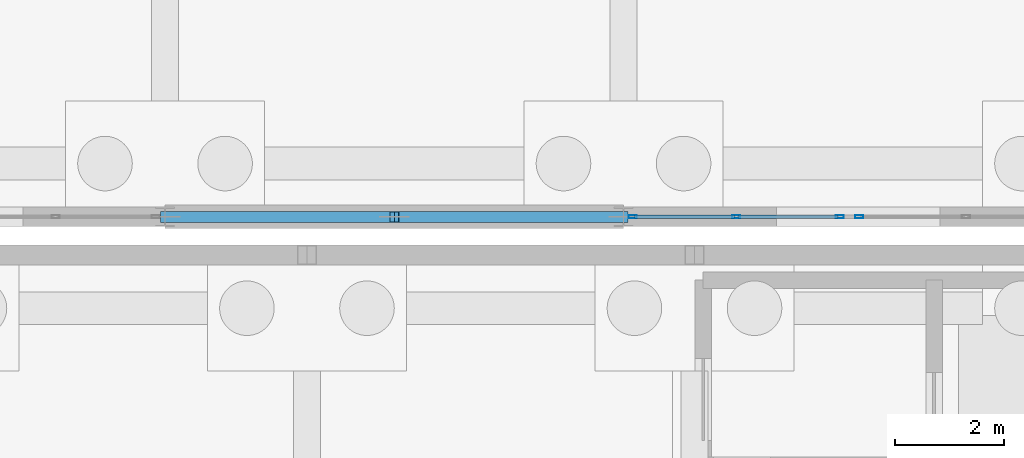
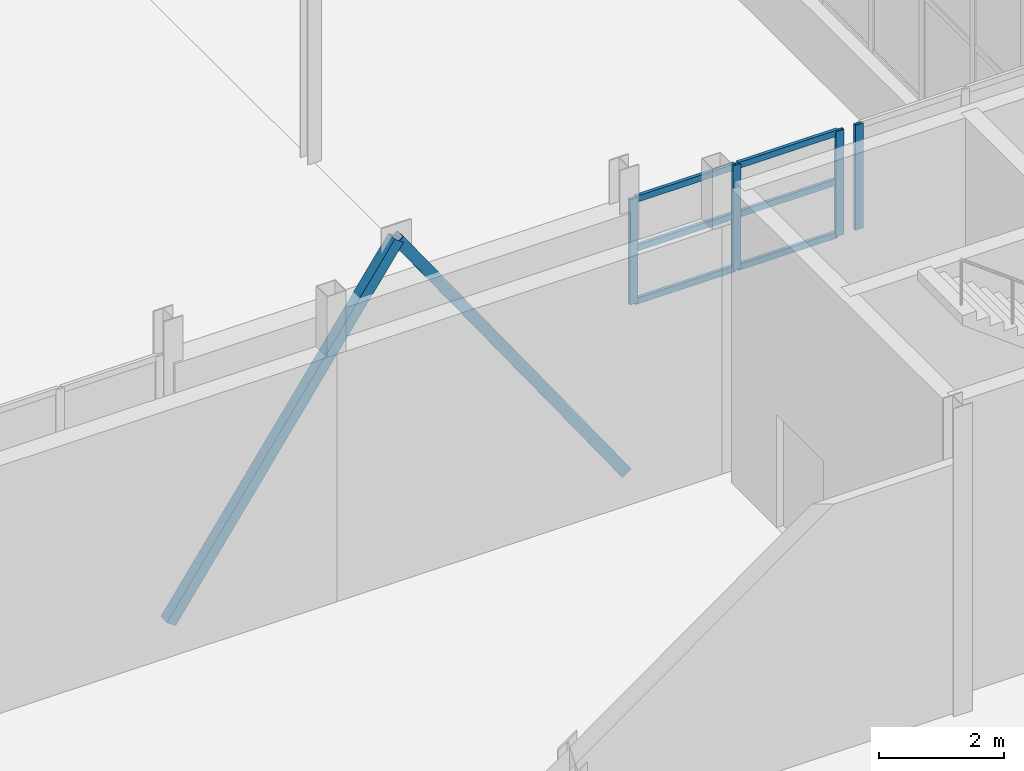
# One storey, part 86 of 139: 12 members, 2 elements without a shape of their own.
"""IFC4 building model written with IfcOpenShell, lengths in metres."""

from ifc_helpers import new_model, si_unit, direction, frame, origin, origin_2d, place, context, subcontext, project, spatial, hollow_rectangle, extrude, material, material_profile, profile_set, type_object, element, aggregate, save


model = new_model("IFC4")

# Units and contexts
model_context = context("Model", 3, precision=1e-05, world=origin(), true_north=direction((0.0, 1.0)))
body_context = subcontext(model_context, "Body", "Model", "MODEL_VIEW")
ifc_project = project(units=[si_unit("LENGTHUNIT", "METRE"), si_unit("AREAUNIT", "SQUARE_METRE"), si_unit("VOLUMEUNIT", "CUBIC_METRE"), si_unit("PLANEANGLEUNIT", "RADIAN"), si_unit("MASSUNIT", "GRAM", prefix="KILO")], contexts=[model_context])

# Site, building, storey
site_placement = place(None, origin())
site = spatial("IfcSite", under=ifc_project, at=site_placement, CompositionType="ELEMENT")
building_placement = place(site_placement, origin())
building = spatial("IfcBuilding", under=site, at=building_placement, Name="Kazenagashi Tramway Depot", CompositionType="ELEMENT")
storey_placement = place(building_placement, origin())
storey = spatial("IfcBuildingStorey", under=building, at=storey_placement, Name="L01", CompositionType="ELEMENT", Elevation=0.0)

# Members
ifc_material_1 = material(Name="Steel STKR490", Category="steel")
ifc_material_profile_1 = material_profile(ifc_material_1, hollow_rectangle(XDim=0.2, YDim=0.2, WallThickness=0.009, at=origin_2d()), Name="SHS-200x200x9")
ifc_profile_set_1 = profile_set([ifc_material_profile_1], Name="Steel STKR490")
member_type_1 = type_object("IfcMemberType", Name="BR-01", PredefinedType="BRACE", material=ifc_profile_set_1)
for number, where, z_axis, x_axis, name in (
    (1, (179.2, 70.0, 0.0), (0.573462344363, 0.0, 0.819231920519), (0.0, 1.0, 0.0), "Seismic Brace Member BR-01 MEM-1598"),
    (2, (187.6, 70.0, 0.0), (-0.573462344363, 0.0, 0.819231920519), (0.0, -1.0, 0.0), "Seismic Brace Member BR-01 MEM-1599"),
):
    element("IfcMember", number, at=place(storey_placement, frame(where, z_axis=z_axis, x_axis=x_axis)), inside=storey, type_object=member_type_1, Name=name, PredefinedType="BRACE", context=body_context, shape_type="SweptSolid", body=[
        extrude(hollow_rectangle(XDim=0.2, YDim=0.2, WallThickness=0.009, at=origin_2d()), origin(), (0.0, 0.0, 1.0), 7.323933),
    ])

# Curtain wall, members
ifc_material_2 = material(Name="Anodised Aluminium and Low-E Glazing", Category="aluminium")
curtain_wall_type_1 = type_object("IfcCurtainWallType", Name="CW-12", PredefinedType="USERDEFINED", material=ifc_material_2)
curtain_wall_1_placement = place(storey_placement, origin())
curtain_wall_1 = element("IfcCurtainWall", 3, at=curtain_wall_1_placement, inside=storey, type_object=curtain_wall_type_1, Name="Industrial Glazed Screen CW-12 CW-0053", ObjectType="GLAZED SCREEN", PredefinedType="USERDEFINED")
ifc_material_3 = material(Name="Anodised Aluminium", Category="aluminium")
ifc_material_profile_2 = material_profile(ifc_material_3, hollow_rectangle(XDim=0.06, YDim=0.15, WallThickness=0.004, at=origin_2d()), Name="RHS-150x60x4")
ifc_profile_set_2 = profile_set([ifc_material_profile_2], Name="Anodised Aluminium")
member_type_2 = type_object("IfcMemberType", Name="ML-01", PredefinedType="MULLION", material=ifc_profile_set_2)
member_1_placement = place(storey_placement, frame((187.77, 70.0, 3.2), z_axis=(0.0, 0.0, 1.0), x_axis=(0.0, 1.0, 0.0)))
member_1 = element("IfcMember", 4, at=member_1_placement, type_object=member_type_2, Name="CW-12 mullion 1", PredefinedType="MULLION", context=body_context, shape_type="SweptSolid", body=[
    extrude(hollow_rectangle(XDim=0.06, YDim=0.15, WallThickness=0.004, at=origin_2d()), origin(), (0.0, 0.0, 1.0), 2.047),
])
member_2_placement = place(storey_placement, frame((189.665, 70.0, 3.2), z_axis=(0.0, 0.0, 1.0), x_axis=(0.0, 1.0, 0.0)))
member_2 = element("IfcMember", 5, at=member_2_placement, type_object=member_type_2, Name="CW-12 mullion 2", PredefinedType="MULLION", context=body_context, shape_type="SweptSolid", body=[
    extrude(hollow_rectangle(XDim=0.06, YDim=0.15, WallThickness=0.004, at=origin_2d()), origin(), (0.0, 0.0, 1.0), 2.047),
])
member_3_placement = place(storey_placement, frame((191.56, 70.0, 3.2), z_axis=(0.0, 0.0, 1.0), x_axis=(0.0, 1.0, 0.0)))
member_3 = element("IfcMember", 6, at=member_3_placement, type_object=member_type_2, Name="CW-12 mullion 3", PredefinedType="MULLION", context=body_context, shape_type="SweptSolid", body=[
    extrude(hollow_rectangle(XDim=0.06, YDim=0.15, WallThickness=0.004, at=origin_2d()), origin(), (0.0, 0.0, 1.0), 2.047),
])

# Curtain wall, member
curtain_wall_type_2 = type_object("IfcCurtainWallType", Name="CW-13", PredefinedType="USERDEFINED", material=ifc_material_2)
curtain_wall_2_placement = place(storey_placement, origin())
curtain_wall_2 = element("IfcCurtainWall", 7, at=curtain_wall_2_placement, inside=storey, type_object=curtain_wall_type_2, Name="Industrial Glazed Screen CW-13 CW-0054", ObjectType="GLAZED SCREEN", PredefinedType="USERDEFINED")
member_4_placement = place(storey_placement, frame((191.92, 70.0, 3.2), z_axis=(0.0, 0.0, 1.0), x_axis=(0.0, 1.0, 0.0)))
member_4 = element("IfcMember", 8, at=member_4_placement, type_object=member_type_2, Name="CW-13 mullion 1", PredefinedType="MULLION", context=body_context, shape_type="SweptSolid", body=[
    extrude(hollow_rectangle(XDim=0.06, YDim=0.15, WallThickness=0.004, at=origin_2d()), origin(), (0.0, 0.0, 1.0), 2.047),
])
aggregate(curtain_wall_2, [member_4])

# Member
ifc_material_profile_3 = material_profile(ifc_material_3, hollow_rectangle(XDim=0.06, YDim=0.12, WallThickness=0.004, at=origin_2d()), Name="RHS-120x60x4")
ifc_profile_set_3 = profile_set([ifc_material_profile_3], Name="Anodised Aluminium")
member_type_3 = type_object("IfcMemberType", Name="TR-01", PredefinedType="USERDEFINED", material=ifc_profile_set_3)
member_5_placement = place(storey_placement, frame((187.8, 70.0, 3.23), z_axis=(1.0, 0.0, 0.0), x_axis=(0.0, 1.0, 0.0)))
member_5 = element("IfcMember", 9, at=member_5_placement, type_object=member_type_3, Name="CW-12 transom 1.1", ObjectType="TRANSOM", PredefinedType="USERDEFINED", context=body_context, shape_type="SweptSolid", body=[
    extrude(hollow_rectangle(XDim=0.06, YDim=0.12, WallThickness=0.004, at=origin_2d()), origin(), (0.0, 0.0, 1.0), 1.835),
])

member_6_placement = place(storey_placement, frame((187.8, 70.0, 4.264), z_axis=(1.0, 0.0, 0.0), x_axis=(0.0, 1.0, 0.0)))
member_6 = element("IfcMember", 10, at=member_6_placement, type_object=member_type_3, Name="CW-12 transom 1.2", ObjectType="TRANSOM", PredefinedType="USERDEFINED", context=body_context, shape_type="SweptSolid", body=[
    extrude(hollow_rectangle(XDim=0.06, YDim=0.12, WallThickness=0.004, at=origin_2d()), origin(), (0.0, 0.0, 1.0), 1.835),
])

member_7_placement = place(storey_placement, frame((187.8, 70.0, 5.217), z_axis=(1.0, 0.0, 0.0), x_axis=(0.0, 1.0, 0.0)))
member_7 = element("IfcMember", 11, at=member_7_placement, type_object=member_type_3, Name="CW-12 transom 1.3", ObjectType="TRANSOM", PredefinedType="USERDEFINED", context=body_context, shape_type="SweptSolid", body=[
    extrude(hollow_rectangle(XDim=0.06, YDim=0.12, WallThickness=0.004, at=origin_2d()), origin(), (0.0, 0.0, 1.0), 1.835),
])

member_8_placement = place(storey_placement, frame((189.695, 70.0, 3.23), z_axis=(1.0, 0.0, 0.0), x_axis=(0.0, 1.0, 0.0)))
member_8 = element("IfcMember", 12, at=member_8_placement, type_object=member_type_3, Name="CW-12 transom 2.1", ObjectType="TRANSOM", PredefinedType="USERDEFINED", context=body_context, shape_type="SweptSolid", body=[
    extrude(hollow_rectangle(XDim=0.06, YDim=0.12, WallThickness=0.004, at=origin_2d()), origin(), (0.0, 0.0, 1.0), 1.835),
])

member_9_placement = place(storey_placement, frame((189.695, 70.0, 4.264), z_axis=(1.0, 0.0, 0.0), x_axis=(0.0, 1.0, 0.0)))
member_9 = element("IfcMember", 13, at=member_9_placement, type_object=member_type_3, Name="CW-12 transom 2.2", ObjectType="TRANSOM", PredefinedType="USERDEFINED", context=body_context, shape_type="SweptSolid", body=[
    extrude(hollow_rectangle(XDim=0.06, YDim=0.12, WallThickness=0.004, at=origin_2d()), origin(), (0.0, 0.0, 1.0), 1.835),
])

member_10_placement = place(storey_placement, frame((189.695, 70.0, 5.217), z_axis=(1.0, 0.0, 0.0), x_axis=(0.0, 1.0, 0.0)))
member_10 = element("IfcMember", 14, at=member_10_placement, type_object=member_type_3, Name="CW-12 transom 2.3", ObjectType="TRANSOM", PredefinedType="USERDEFINED", context=body_context, shape_type="SweptSolid", body=[
    extrude(hollow_rectangle(XDim=0.06, YDim=0.12, WallThickness=0.004, at=origin_2d()), origin(), (0.0, 0.0, 1.0), 1.835),
])

aggregate(curtain_wall_1, [member_1, member_2, member_3, member_5, member_6, member_7, member_8, member_9, member_10])

save(model, "model.ifc")
